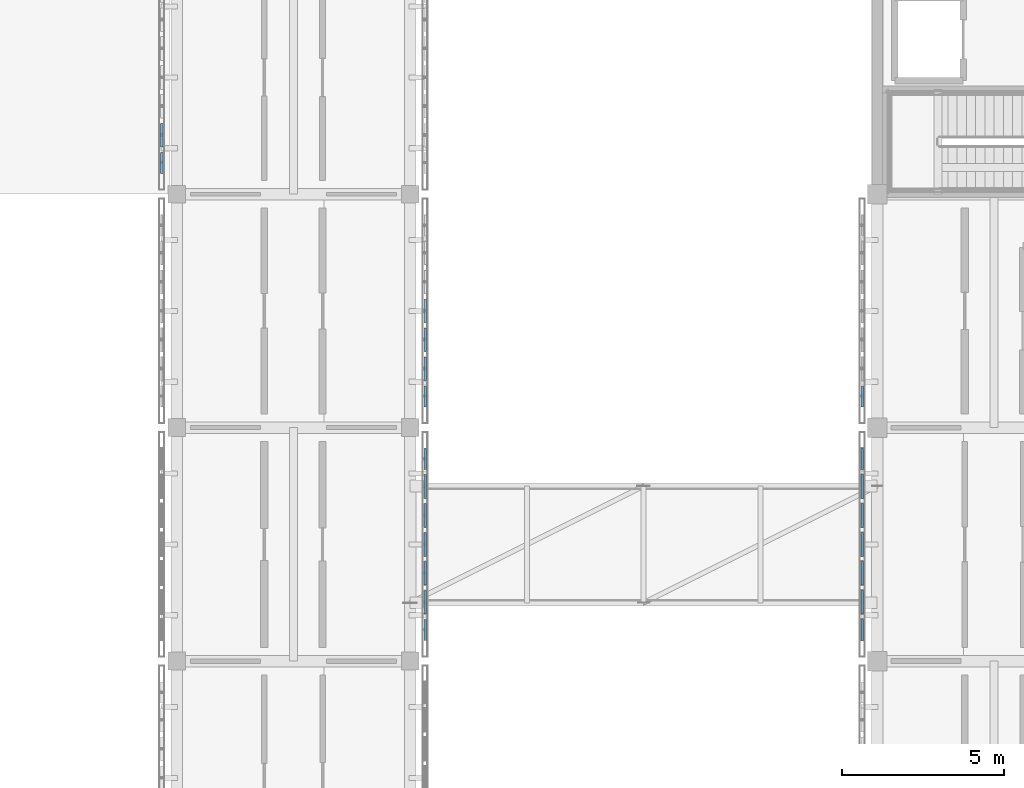
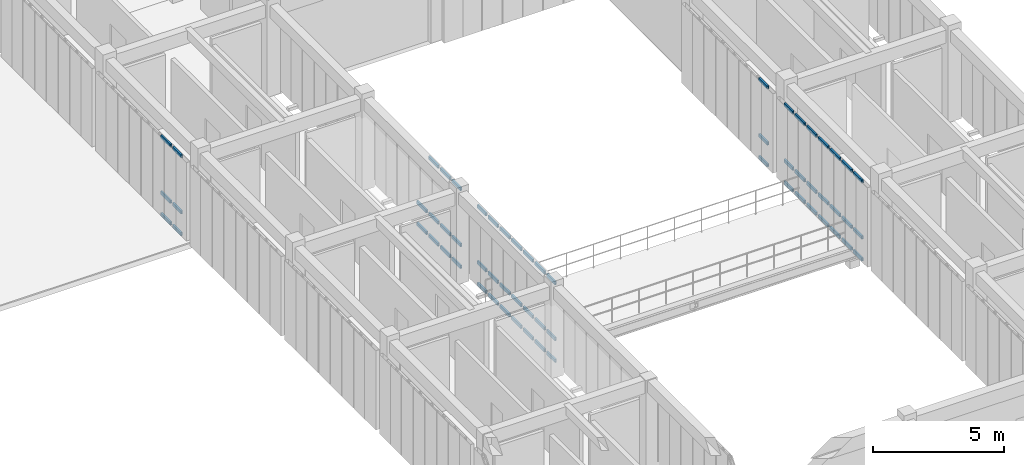
# One storey, part 37 of 91: 62 members, 5 elements without a shape of their own.
"""IFC4 building model written with IfcOpenShell, lengths in metres."""

from ifc_helpers import new_model, si_unit, direction, frame, origin, origin_2d, place, context, subcontext, project, spatial, hollow_rectangle, extrude, material, material_profile, profile_set, type_object, element, aggregate, save


model = new_model("IFC4")

# Units and contexts
model_context = context("Model", 3, precision=1e-05, world=origin(), true_north=direction((0.0, 1.0)))
body_context = subcontext(model_context, "Body", "Model", "MODEL_VIEW")
ifc_project = project(units=[si_unit("LENGTHUNIT", "METRE"), si_unit("AREAUNIT", "SQUARE_METRE"), si_unit("VOLUMEUNIT", "CUBIC_METRE"), si_unit("PLANEANGLEUNIT", "RADIAN"), si_unit("MASSUNIT", "GRAM", prefix="KILO")], contexts=[model_context])

# Site, building, storey
site_placement = place(None, origin())
site = spatial("IfcSite", under=ifc_project, at=site_placement, CompositionType="ELEMENT")
building_placement = place(site_placement, origin())
building = spatial("IfcBuilding", under=site, at=building_placement, Name="Aldebral Square Health Centre", CompositionType="ELEMENT")
storey_placement = place(building_placement, frame((0.0, 0.0, 9.0)))
storey = spatial("IfcBuildingStorey", under=building, at=storey_placement, Name="L02", CompositionType="ELEMENT", Elevation=9.0)

# Curtain wall, members
ifc_material_1 = material(Name="Aluminium and low-E solar glass", Category="aluminium")
curtain_wall_type = type_object("IfcCurtainWallType", Name="CW-FIN-SYS", PredefinedType="USERDEFINED", material=ifc_material_1)
curtain_wall_1_placement = place(storey_placement, origin())
curtain_wall_1 = element("IfcCurtainWall", 1, at=curtain_wall_1_placement, inside=storey, type_object=curtain_wall_type, Name="L02 V5 finned curtain wall L02-V5-19-11-E", ObjectType="SOLAR_CURTAIN_WALL", PredefinedType="USERDEFINED")
ifc_material_2 = material(Name="Anodised aluminium transom", Category="aluminium")
ifc_material_profile = material_profile(ifc_material_2, hollow_rectangle(XDim=0.074951171875, YDim=0.14990234375, WallThickness=0.00390625, at=origin_2d()), Name="CWT 75x150x4")
ifc_profile_set = profile_set([ifc_material_profile], Name="Anodised aluminium transom")
member_type = type_object("IfcMemberType", Name="CWT-STD", PredefinedType="USERDEFINED", material=ifc_profile_set)
member_1_placement = place(storey_placement, frame((144.4599609375, 79.840087890625, 0.03759765625), z_axis=(0.0, 1.0, 0.0), x_axis=(-1.0, 0.0, 0.0)))
member_1 = element("IfcMember", 2, at=member_1_placement, type_object=member_type, Name="CW1 transom 1.1", ObjectType="TRANSOM", PredefinedType="USERDEFINED", context=body_context, shape_type="SweptSolid", body=[
    extrude(hollow_rectangle(XDim=0.074951171875, YDim=0.14990234375, WallThickness=0.00390625, at=origin_2d()), origin(), (0.0, 0.0, 1.0), 0.6513671875),
])
member_2_placement = place(storey_placement, frame((144.4599609375, 79.840087890625, 1.050048828125), z_axis=(0.0, 1.0, 0.0), x_axis=(-1.0, 0.0, 0.0)))
member_2 = element("IfcMember", 3, at=member_2_placement, type_object=member_type, Name="CW1 transom 1.2", ObjectType="TRANSOM", PredefinedType="USERDEFINED", context=body_context, shape_type="SweptSolid", body=[
    extrude(hollow_rectangle(XDim=0.074951171875, YDim=0.14990234375, WallThickness=0.00390625, at=origin_2d()), origin(), (0.0, 0.0, 1.0), 0.6513671875),
])
member_3_placement = place(storey_placement, frame((144.4599609375, 79.840087890625, 3.652587890625), z_axis=(0.0, 1.0, 0.0), x_axis=(-1.0, 0.0, 0.0)))
member_3 = element("IfcMember", 4, at=member_3_placement, type_object=member_type, Name="CW1 transom 1.3", ObjectType="TRANSOM", PredefinedType="USERDEFINED", context=body_context, shape_type="SweptSolid", body=[
    extrude(hollow_rectangle(XDim=0.074951171875, YDim=0.14990234375, WallThickness=0.00390625, at=origin_2d()), origin(), (0.0, 0.0, 1.0), 0.6513671875),
])
member_4_placement = place(storey_placement, frame((144.4599609375, 80.6513671875, 0.03759765625), z_axis=(0.0, 1.0, 0.0), x_axis=(-1.0, 0.0, 0.0)))
member_4 = element("IfcMember", 5, at=member_4_placement, type_object=member_type, Name="CW1 transom 2.1", ObjectType="TRANSOM", PredefinedType="USERDEFINED", context=body_context, shape_type="SweptSolid", body=[
    extrude(hollow_rectangle(XDim=0.074951171875, YDim=0.14990234375, WallThickness=0.00390625, at=origin_2d()), origin(), (0.0, 0.0, 1.0), 0.7314453125),
])
member_5_placement = place(storey_placement, frame((144.4599609375, 80.6513671875, 1.050048828125), z_axis=(0.0, 1.0, 0.0), x_axis=(-1.0, 0.0, 0.0)))
member_5 = element("IfcMember", 6, at=member_5_placement, type_object=member_type, Name="CW1 transom 2.2", ObjectType="TRANSOM", PredefinedType="USERDEFINED", context=body_context, shape_type="SweptSolid", body=[
    extrude(hollow_rectangle(XDim=0.074951171875, YDim=0.14990234375, WallThickness=0.00390625, at=origin_2d()), origin(), (0.0, 0.0, 1.0), 0.7314453125),
])
member_6_placement = place(storey_placement, frame((144.4599609375, 80.6513671875, 3.652587890625), z_axis=(0.0, 1.0, 0.0), x_axis=(-1.0, 0.0, 0.0)))
member_6 = element("IfcMember", 7, at=member_6_placement, type_object=member_type, Name="CW1 transom 2.3", ObjectType="TRANSOM", PredefinedType="USERDEFINED", context=body_context, shape_type="SweptSolid", body=[
    extrude(hollow_rectangle(XDim=0.074951171875, YDim=0.14990234375, WallThickness=0.00390625, at=origin_2d()), origin(), (0.0, 0.0, 1.0), 0.7314453125),
])
member_7_placement = place(storey_placement, frame((144.4599609375, 81.54296875, 0.03759765625), z_axis=(0.0, 1.0, 0.0), x_axis=(-1.0, 0.0, 0.0)))
member_7 = element("IfcMember", 8, at=member_7_placement, type_object=member_type, Name="CW1 transom 3.1", ObjectType="TRANSOM", PredefinedType="USERDEFINED", context=body_context, shape_type="SweptSolid", body=[
    extrude(hollow_rectangle(XDim=0.074951171875, YDim=0.14990234375, WallThickness=0.00390625, at=origin_2d()), origin(), (0.0, 0.0, 1.0), 0.731201171875),
])
member_8_placement = place(storey_placement, frame((144.4599609375, 81.54296875, 1.050048828125), z_axis=(0.0, 1.0, 0.0), x_axis=(-1.0, 0.0, 0.0)))
member_8 = element("IfcMember", 9, at=member_8_placement, type_object=member_type, Name="CW1 transom 3.2", ObjectType="TRANSOM", PredefinedType="USERDEFINED", context=body_context, shape_type="SweptSolid", body=[
    extrude(hollow_rectangle(XDim=0.074951171875, YDim=0.14990234375, WallThickness=0.00390625, at=origin_2d()), origin(), (0.0, 0.0, 1.0), 0.731201171875),
])
member_9_placement = place(storey_placement, frame((144.4599609375, 81.54296875, 3.652587890625), z_axis=(0.0, 1.0, 0.0), x_axis=(-1.0, 0.0, 0.0)))
member_9 = element("IfcMember", 10, at=member_9_placement, type_object=member_type, Name="CW1 transom 3.3", ObjectType="TRANSOM", PredefinedType="USERDEFINED", context=body_context, shape_type="SweptSolid", body=[
    extrude(hollow_rectangle(XDim=0.074951171875, YDim=0.14990234375, WallThickness=0.00390625, at=origin_2d()), origin(), (0.0, 0.0, 1.0), 0.731201171875),
])
member_10_placement = place(storey_placement, frame((144.4599609375, 82.434326171875, 0.03759765625), z_axis=(0.0, 1.0, 0.0), x_axis=(-1.0, 0.0, 0.0)))
member_10 = element("IfcMember", 11, at=member_10_placement, type_object=member_type, Name="CW1 transom 4.1", ObjectType="TRANSOM", PredefinedType="USERDEFINED", context=body_context, shape_type="SweptSolid", body=[
    extrude(hollow_rectangle(XDim=0.074951171875, YDim=0.14990234375, WallThickness=0.00390625, at=origin_2d()), origin(), (0.0, 0.0, 1.0), 0.7314453125),
])
member_11_placement = place(storey_placement, frame((144.4599609375, 82.434326171875, 1.050048828125), z_axis=(0.0, 1.0, 0.0), x_axis=(-1.0, 0.0, 0.0)))
member_11 = element("IfcMember", 12, at=member_11_placement, type_object=member_type, Name="CW1 transom 4.2", ObjectType="TRANSOM", PredefinedType="USERDEFINED", context=body_context, shape_type="SweptSolid", body=[
    extrude(hollow_rectangle(XDim=0.074951171875, YDim=0.14990234375, WallThickness=0.00390625, at=origin_2d()), origin(), (0.0, 0.0, 1.0), 0.7314453125),
])
member_12_placement = place(storey_placement, frame((144.4599609375, 82.434326171875, 3.652587890625), z_axis=(0.0, 1.0, 0.0), x_axis=(-1.0, 0.0, 0.0)))
member_12 = element("IfcMember", 13, at=member_12_placement, type_object=member_type, Name="CW1 transom 4.3", ObjectType="TRANSOM", PredefinedType="USERDEFINED", context=body_context, shape_type="SweptSolid", body=[
    extrude(hollow_rectangle(XDim=0.074951171875, YDim=0.14990234375, WallThickness=0.00390625, at=origin_2d()), origin(), (0.0, 0.0, 1.0), 0.7314453125),
])
member_13_placement = place(storey_placement, frame((144.4599609375, 83.32568359375, 0.03759765625), z_axis=(0.0, 1.0, 0.0), x_axis=(-1.0, 0.0, 0.0)))
member_13 = element("IfcMember", 14, at=member_13_placement, type_object=member_type, Name="CW1 transom 5.1", ObjectType="TRANSOM", PredefinedType="USERDEFINED", context=body_context, shape_type="SweptSolid", body=[
    extrude(hollow_rectangle(XDim=0.074951171875, YDim=0.14990234375, WallThickness=0.00390625, at=origin_2d()), origin(), (0.0, 0.0, 1.0), 0.7314453125),
])
member_14_placement = place(storey_placement, frame((144.4599609375, 83.32568359375, 1.050048828125), z_axis=(0.0, 1.0, 0.0), x_axis=(-1.0, 0.0, 0.0)))
member_14 = element("IfcMember", 15, at=member_14_placement, type_object=member_type, Name="CW1 transom 5.2", ObjectType="TRANSOM", PredefinedType="USERDEFINED", context=body_context, shape_type="SweptSolid", body=[
    extrude(hollow_rectangle(XDim=0.074951171875, YDim=0.14990234375, WallThickness=0.00390625, at=origin_2d()), origin(), (0.0, 0.0, 1.0), 0.7314453125),
])
member_15_placement = place(storey_placement, frame((144.4599609375, 83.32568359375, 3.652587890625), z_axis=(0.0, 1.0, 0.0), x_axis=(-1.0, 0.0, 0.0)))
member_15 = element("IfcMember", 16, at=member_15_placement, type_object=member_type, Name="CW1 transom 5.3", ObjectType="TRANSOM", PredefinedType="USERDEFINED", context=body_context, shape_type="SweptSolid", body=[
    extrude(hollow_rectangle(XDim=0.074951171875, YDim=0.14990234375, WallThickness=0.00390625, at=origin_2d()), origin(), (0.0, 0.0, 1.0), 0.7314453125),
])
member_16_placement = place(storey_placement, frame((144.4599609375, 84.217041015625, 0.03759765625), z_axis=(0.0, 1.0, 0.0), x_axis=(-1.0, 0.0, 0.0)))
member_16 = element("IfcMember", 17, at=member_16_placement, type_object=member_type, Name="CW1 transom 6.1", ObjectType="TRANSOM", PredefinedType="USERDEFINED", context=body_context, shape_type="SweptSolid", body=[
    extrude(hollow_rectangle(XDim=0.074951171875, YDim=0.14990234375, WallThickness=0.00390625, at=origin_2d()), origin(), (0.0, 0.0, 1.0), 0.7314453125),
])
member_17_placement = place(storey_placement, frame((144.4599609375, 84.217041015625, 1.050048828125), z_axis=(0.0, 1.0, 0.0), x_axis=(-1.0, 0.0, 0.0)))
member_17 = element("IfcMember", 18, at=member_17_placement, type_object=member_type, Name="CW1 transom 6.2", ObjectType="TRANSOM", PredefinedType="USERDEFINED", context=body_context, shape_type="SweptSolid", body=[
    extrude(hollow_rectangle(XDim=0.074951171875, YDim=0.14990234375, WallThickness=0.00390625, at=origin_2d()), origin(), (0.0, 0.0, 1.0), 0.7314453125),
])
member_18_placement = place(storey_placement, frame((144.4599609375, 84.217041015625, 3.652587890625), z_axis=(0.0, 1.0, 0.0), x_axis=(-1.0, 0.0, 0.0)))
member_18 = element("IfcMember", 19, at=member_18_placement, type_object=member_type, Name="CW1 transom 6.3", ObjectType="TRANSOM", PredefinedType="USERDEFINED", context=body_context, shape_type="SweptSolid", body=[
    extrude(hollow_rectangle(XDim=0.074951171875, YDim=0.14990234375, WallThickness=0.00390625, at=origin_2d()), origin(), (0.0, 0.0, 1.0), 0.7314453125),
])
member_19_placement = place(storey_placement, frame((144.4599609375, 85.108642578125, 0.03759765625), z_axis=(0.0, 1.0, 0.0), x_axis=(-1.0, 0.0, 0.0)))
member_19 = element("IfcMember", 20, at=member_19_placement, type_object=member_type, Name="CW1 transom 7.1", ObjectType="TRANSOM", PredefinedType="USERDEFINED", context=body_context, shape_type="SweptSolid", body=[
    extrude(hollow_rectangle(XDim=0.074951171875, YDim=0.14990234375, WallThickness=0.00390625, at=origin_2d()), origin(), (0.0, 0.0, 1.0), 0.6513671875),
])
member_20_placement = place(storey_placement, frame((144.4599609375, 85.108642578125, 1.050048828125), z_axis=(0.0, 1.0, 0.0), x_axis=(-1.0, 0.0, 0.0)))
member_20 = element("IfcMember", 21, at=member_20_placement, type_object=member_type, Name="CW1 transom 7.2", ObjectType="TRANSOM", PredefinedType="USERDEFINED", context=body_context, shape_type="SweptSolid", body=[
    extrude(hollow_rectangle(XDim=0.074951171875, YDim=0.14990234375, WallThickness=0.00390625, at=origin_2d()), origin(), (0.0, 0.0, 1.0), 0.6513671875),
])
member_21_placement = place(storey_placement, frame((144.4599609375, 85.108642578125, 3.652587890625), z_axis=(0.0, 1.0, 0.0), x_axis=(-1.0, 0.0, 0.0)))
member_21 = element("IfcMember", 22, at=member_21_placement, type_object=member_type, Name="CW1 transom 7.3", ObjectType="TRANSOM", PredefinedType="USERDEFINED", context=body_context, shape_type="SweptSolid", body=[
    extrude(hollow_rectangle(XDim=0.074951171875, YDim=0.14990234375, WallThickness=0.00390625, at=origin_2d()), origin(), (0.0, 0.0, 1.0), 0.6513671875),
])
aggregate(curtain_wall_1, [member_1, member_2, member_3, member_4, member_5, member_6, member_7, member_8, member_9, member_10, member_11, member_12, member_13, member_14, member_15, member_16, member_17, member_18, member_19, member_20, member_21])

curtain_wall_2_placement = place(storey_placement, origin())
curtain_wall_2 = element("IfcCurtainWall", 23, at=curtain_wall_2_placement, inside=storey, type_object=curtain_wall_type, Name="L02 V5 finned curtain wall L02-V5-19-12-E", ObjectType="SOLAR_CURTAIN_WALL", PredefinedType="USERDEFINED")
member_22_placement = place(storey_placement, frame((144.4599609375, 87.0400390625, 0.03759765625), z_axis=(0.0, 1.0, 0.0), x_axis=(-1.0, 0.0, 0.0)))
member_22 = element("IfcMember", 24, at=member_22_placement, type_object=member_type, Name="CW1 transom 1.1", ObjectType="TRANSOM", PredefinedType="USERDEFINED", context=body_context, shape_type="SweptSolid", body=[
    extrude(hollow_rectangle(XDim=0.074951171875, YDim=0.14990234375, WallThickness=0.00390625, at=origin_2d()), origin(), (0.0, 0.0, 1.0), 0.6513671875),
])
member_23_placement = place(storey_placement, frame((144.4599609375, 87.0400390625, 1.050048828125), z_axis=(0.0, 1.0, 0.0), x_axis=(-1.0, 0.0, 0.0)))
member_23 = element("IfcMember", 25, at=member_23_placement, type_object=member_type, Name="CW1 transom 1.2", ObjectType="TRANSOM", PredefinedType="USERDEFINED", context=body_context, shape_type="SweptSolid", body=[
    extrude(hollow_rectangle(XDim=0.074951171875, YDim=0.14990234375, WallThickness=0.00390625, at=origin_2d()), origin(), (0.0, 0.0, 1.0), 0.6513671875),
])
member_24_placement = place(storey_placement, frame((144.4599609375, 87.0400390625, 3.652587890625), z_axis=(0.0, 1.0, 0.0), x_axis=(-1.0, 0.0, 0.0)))
member_24 = element("IfcMember", 26, at=member_24_placement, type_object=member_type, Name="CW1 transom 1.3", ObjectType="TRANSOM", PredefinedType="USERDEFINED", context=body_context, shape_type="SweptSolid", body=[
    extrude(hollow_rectangle(XDim=0.074951171875, YDim=0.14990234375, WallThickness=0.00390625, at=origin_2d()), origin(), (0.0, 0.0, 1.0), 0.6513671875),
])
member_25_placement = place(storey_placement, frame((144.4599609375, 87.851318359375, 0.03759765625), z_axis=(0.0, 1.0, 0.0), x_axis=(-1.0, 0.0, 0.0)))
member_25 = element("IfcMember", 27, at=member_25_placement, type_object=member_type, Name="CW1 transom 2.1", ObjectType="TRANSOM", PredefinedType="USERDEFINED", context=body_context, shape_type="SweptSolid", body=[
    extrude(hollow_rectangle(XDim=0.074951171875, YDim=0.14990234375, WallThickness=0.00390625, at=origin_2d()), origin(), (0.0, 0.0, 1.0), 0.7314453125),
])
member_26_placement = place(storey_placement, frame((144.4599609375, 87.851318359375, 1.050048828125), z_axis=(0.0, 1.0, 0.0), x_axis=(-1.0, 0.0, 0.0)))
member_26 = element("IfcMember", 28, at=member_26_placement, type_object=member_type, Name="CW1 transom 2.2", ObjectType="TRANSOM", PredefinedType="USERDEFINED", context=body_context, shape_type="SweptSolid", body=[
    extrude(hollow_rectangle(XDim=0.074951171875, YDim=0.14990234375, WallThickness=0.00390625, at=origin_2d()), origin(), (0.0, 0.0, 1.0), 0.7314453125),
])
member_27_placement = place(storey_placement, frame((144.4599609375, 87.851318359375, 3.652587890625), z_axis=(0.0, 1.0, 0.0), x_axis=(-1.0, 0.0, 0.0)))
member_27 = element("IfcMember", 29, at=member_27_placement, type_object=member_type, Name="CW1 transom 2.3", ObjectType="TRANSOM", PredefinedType="USERDEFINED", context=body_context, shape_type="SweptSolid", body=[
    extrude(hollow_rectangle(XDim=0.074951171875, YDim=0.14990234375, WallThickness=0.00390625, at=origin_2d()), origin(), (0.0, 0.0, 1.0), 0.7314453125),
])
member_28_placement = place(storey_placement, frame((144.4599609375, 88.742919921875, 0.03759765625), z_axis=(0.0, 1.0, 0.0), x_axis=(-1.0, 0.0, 0.0)))
member_28 = element("IfcMember", 30, at=member_28_placement, type_object=member_type, Name="CW1 transom 3.1", ObjectType="TRANSOM", PredefinedType="USERDEFINED", context=body_context, shape_type="SweptSolid", body=[
    extrude(hollow_rectangle(XDim=0.074951171875, YDim=0.14990234375, WallThickness=0.00390625, at=origin_2d()), origin(), (0.0, 0.0, 1.0), 0.7314453125),
])
member_29_placement = place(storey_placement, frame((144.4599609375, 88.742919921875, 1.050048828125), z_axis=(0.0, 1.0, 0.0), x_axis=(-1.0, 0.0, 0.0)))
member_29 = element("IfcMember", 31, at=member_29_placement, type_object=member_type, Name="CW1 transom 3.2", ObjectType="TRANSOM", PredefinedType="USERDEFINED", context=body_context, shape_type="SweptSolid", body=[
    extrude(hollow_rectangle(XDim=0.074951171875, YDim=0.14990234375, WallThickness=0.00390625, at=origin_2d()), origin(), (0.0, 0.0, 1.0), 0.7314453125),
])
member_30_placement = place(storey_placement, frame((144.4599609375, 88.742919921875, 3.652587890625), z_axis=(0.0, 1.0, 0.0), x_axis=(-1.0, 0.0, 0.0)))
member_30 = element("IfcMember", 32, at=member_30_placement, type_object=member_type, Name="CW1 transom 3.3", ObjectType="TRANSOM", PredefinedType="USERDEFINED", context=body_context, shape_type="SweptSolid", body=[
    extrude(hollow_rectangle(XDim=0.074951171875, YDim=0.14990234375, WallThickness=0.00390625, at=origin_2d()), origin(), (0.0, 0.0, 1.0), 0.7314453125),
])
member_31_placement = place(storey_placement, frame((144.4599609375, 89.63427734375, 0.03759765625), z_axis=(0.0, 1.0, 0.0), x_axis=(-1.0, 0.0, 0.0)))
member_31 = element("IfcMember", 33, at=member_31_placement, type_object=member_type, Name="CW1 transom 4.1", ObjectType="TRANSOM", PredefinedType="USERDEFINED", context=body_context, shape_type="SweptSolid", body=[
    extrude(hollow_rectangle(XDim=0.074951171875, YDim=0.14990234375, WallThickness=0.00390625, at=origin_2d()), origin(), (0.0, 0.0, 1.0), 0.7314453125),
])
member_32_placement = place(storey_placement, frame((144.4599609375, 89.63427734375, 1.050048828125), z_axis=(0.0, 1.0, 0.0), x_axis=(-1.0, 0.0, 0.0)))
member_32 = element("IfcMember", 34, at=member_32_placement, type_object=member_type, Name="CW1 transom 4.2", ObjectType="TRANSOM", PredefinedType="USERDEFINED", context=body_context, shape_type="SweptSolid", body=[
    extrude(hollow_rectangle(XDim=0.074951171875, YDim=0.14990234375, WallThickness=0.00390625, at=origin_2d()), origin(), (0.0, 0.0, 1.0), 0.7314453125),
])
aggregate(curtain_wall_2, [member_22, member_23, member_24, member_25, member_26, member_27, member_28, member_29, member_30, member_31, member_32])

curtain_wall_3_placement = place(storey_placement, origin())
curtain_wall_3 = element("IfcCurtainWall", 35, at=curtain_wall_3_placement, inside=storey, type_object=curtain_wall_type, Name="L02 V5 finned curtain wall L02-V5-19-13-W", ObjectType="SOLAR_CURTAIN_WALL", PredefinedType="USERDEFINED")
member_33_placement = place(storey_placement, frame((136.340087890625, 95.782958984375, 0.03759765625), z_axis=(0.0, -1.0, 0.0), x_axis=(1.0, 0.0, 0.0)))
member_33 = element("IfcMember", 36, at=member_33_placement, type_object=member_type, Name="CW1 transom 6.1", ObjectType="TRANSOM", PredefinedType="USERDEFINED", context=body_context, shape_type="SweptSolid", body=[
    extrude(hollow_rectangle(XDim=0.074951171875, YDim=0.14990234375, WallThickness=0.00390625, at=origin_2d()), origin(), (0.0, 0.0, 1.0), 0.7314453125),
])
member_34_placement = place(storey_placement, frame((136.340087890625, 95.782958984375, 1.050048828125), z_axis=(0.0, -1.0, 0.0), x_axis=(1.0, 0.0, 0.0)))
member_34 = element("IfcMember", 37, at=member_34_placement, type_object=member_type, Name="CW1 transom 6.2", ObjectType="TRANSOM", PredefinedType="USERDEFINED", context=body_context, shape_type="SweptSolid", body=[
    extrude(hollow_rectangle(XDim=0.074951171875, YDim=0.14990234375, WallThickness=0.00390625, at=origin_2d()), origin(), (0.0, 0.0, 1.0), 0.7314453125),
])
member_35_placement = place(storey_placement, frame((136.340087890625, 95.782958984375, 3.652587890625), z_axis=(0.0, -1.0, 0.0), x_axis=(1.0, 0.0, 0.0)))
member_35 = element("IfcMember", 38, at=member_35_placement, type_object=member_type, Name="CW1 transom 6.3", ObjectType="TRANSOM", PredefinedType="USERDEFINED", context=body_context, shape_type="SweptSolid", body=[
    extrude(hollow_rectangle(XDim=0.074951171875, YDim=0.14990234375, WallThickness=0.00390625, at=origin_2d()), origin(), (0.0, 0.0, 1.0), 0.7314453125),
])
member_36_placement = place(storey_placement, frame((136.340087890625, 94.891357421875, 0.03759765625), z_axis=(0.0, -1.0, 0.0), x_axis=(1.0, 0.0, 0.0)))
member_36 = element("IfcMember", 39, at=member_36_placement, type_object=member_type, Name="CW1 transom 7.1", ObjectType="TRANSOM", PredefinedType="USERDEFINED", context=body_context, shape_type="SweptSolid", body=[
    extrude(hollow_rectangle(XDim=0.074951171875, YDim=0.14990234375, WallThickness=0.00390625, at=origin_2d()), origin(), (0.0, 0.0, 1.0), 0.6513671875),
])
member_37_placement = place(storey_placement, frame((136.340087890625, 94.891357421875, 1.050048828125), z_axis=(0.0, -1.0, 0.0), x_axis=(1.0, 0.0, 0.0)))
member_37 = element("IfcMember", 40, at=member_37_placement, type_object=member_type, Name="CW1 transom 7.2", ObjectType="TRANSOM", PredefinedType="USERDEFINED", context=body_context, shape_type="SweptSolid", body=[
    extrude(hollow_rectangle(XDim=0.074951171875, YDim=0.14990234375, WallThickness=0.00390625, at=origin_2d()), origin(), (0.0, 0.0, 1.0), 0.6513671875),
])
member_38_placement = place(storey_placement, frame((136.340087890625, 94.891357421875, 3.652587890625), z_axis=(0.0, -1.0, 0.0), x_axis=(1.0, 0.0, 0.0)))
member_38 = element("IfcMember", 41, at=member_38_placement, type_object=member_type, Name="CW1 transom 7.3", ObjectType="TRANSOM", PredefinedType="USERDEFINED", context=body_context, shape_type="SweptSolid", body=[
    extrude(hollow_rectangle(XDim=0.074951171875, YDim=0.14990234375, WallThickness=0.00390625, at=origin_2d()), origin(), (0.0, 0.0, 1.0), 0.6513671875),
])
aggregate(curtain_wall_3, [member_33, member_34, member_35, member_36, member_37, member_38])

curtain_wall_4_placement = place(storey_placement, origin())
curtain_wall_4 = element("IfcCurtainWall", 42, at=curtain_wall_4_placement, inside=storey, type_object=curtain_wall_type, Name="L02 V5 finned curtain wall L02-V5-22-11-W", ObjectType="SOLAR_CURTAIN_WALL", PredefinedType="USERDEFINED")
member_39_placement = place(storey_placement, frame((157.93994140625, 85.760009765625, 0.03759765625), z_axis=(0.0, -1.0, 0.0), x_axis=(1.0, 0.0, 0.0)))
member_39 = element("IfcMember", 43, at=member_39_placement, type_object=member_type, Name="CW1 transom 1.1", ObjectType="TRANSOM", PredefinedType="USERDEFINED", context=body_context, shape_type="SweptSolid", body=[
    extrude(hollow_rectangle(XDim=0.074951171875, YDim=0.14990234375, WallThickness=0.00390625, at=origin_2d()), origin(), (0.0, 0.0, 1.0), 0.6513671875),
])
member_40_placement = place(storey_placement, frame((157.93994140625, 85.760009765625, 1.050048828125), z_axis=(0.0, -1.0, 0.0), x_axis=(1.0, 0.0, 0.0)))
member_40 = element("IfcMember", 44, at=member_40_placement, type_object=member_type, Name="CW1 transom 1.2", ObjectType="TRANSOM", PredefinedType="USERDEFINED", context=body_context, shape_type="SweptSolid", body=[
    extrude(hollow_rectangle(XDim=0.074951171875, YDim=0.14990234375, WallThickness=0.00390625, at=origin_2d()), origin(), (0.0, 0.0, 1.0), 0.6513671875),
])
member_41_placement = place(storey_placement, frame((157.93994140625, 85.760009765625, 3.652587890625), z_axis=(0.0, -1.0, 0.0), x_axis=(1.0, 0.0, 0.0)))
member_41 = element("IfcMember", 45, at=member_41_placement, type_object=member_type, Name="CW1 transom 1.3", ObjectType="TRANSOM", PredefinedType="USERDEFINED", context=body_context, shape_type="SweptSolid", body=[
    extrude(hollow_rectangle(XDim=0.074951171875, YDim=0.14990234375, WallThickness=0.00390625, at=origin_2d()), origin(), (0.0, 0.0, 1.0), 0.6513671875),
])
member_42_placement = place(storey_placement, frame((157.93994140625, 84.948486328125, 0.03759765625), z_axis=(0.0, -1.0, 0.0), x_axis=(1.0, 0.0, 0.0)))
member_42 = element("IfcMember", 46, at=member_42_placement, type_object=member_type, Name="CW1 transom 2.1", ObjectType="TRANSOM", PredefinedType="USERDEFINED", context=body_context, shape_type="SweptSolid", body=[
    extrude(hollow_rectangle(XDim=0.074951171875, YDim=0.14990234375, WallThickness=0.00390625, at=origin_2d()), origin(), (0.0, 0.0, 1.0), 0.7314453125),
])
member_43_placement = place(storey_placement, frame((157.93994140625, 84.948486328125, 1.050048828125), z_axis=(0.0, -1.0, 0.0), x_axis=(1.0, 0.0, 0.0)))
member_43 = element("IfcMember", 47, at=member_43_placement, type_object=member_type, Name="CW1 transom 2.2", ObjectType="TRANSOM", PredefinedType="USERDEFINED", context=body_context, shape_type="SweptSolid", body=[
    extrude(hollow_rectangle(XDim=0.074951171875, YDim=0.14990234375, WallThickness=0.00390625, at=origin_2d()), origin(), (0.0, 0.0, 1.0), 0.7314453125),
])
member_44_placement = place(storey_placement, frame((157.93994140625, 84.948486328125, 3.652587890625), z_axis=(0.0, -1.0, 0.0), x_axis=(1.0, 0.0, 0.0)))
member_44 = element("IfcMember", 48, at=member_44_placement, type_object=member_type, Name="CW1 transom 2.3", ObjectType="TRANSOM", PredefinedType="USERDEFINED", context=body_context, shape_type="SweptSolid", body=[
    extrude(hollow_rectangle(XDim=0.074951171875, YDim=0.14990234375, WallThickness=0.00390625, at=origin_2d()), origin(), (0.0, 0.0, 1.0), 0.7314453125),
])
member_45_placement = place(storey_placement, frame((157.93994140625, 84.05712890625, 0.03759765625), z_axis=(0.0, -1.0, 0.0), x_axis=(1.0, 0.0, 0.0)))
member_45 = element("IfcMember", 49, at=member_45_placement, type_object=member_type, Name="CW1 transom 3.1", ObjectType="TRANSOM", PredefinedType="USERDEFINED", context=body_context, shape_type="SweptSolid", body=[
    extrude(hollow_rectangle(XDim=0.074951171875, YDim=0.14990234375, WallThickness=0.00390625, at=origin_2d()), origin(), (0.0, 0.0, 1.0), 0.7314453125),
])
member_46_placement = place(storey_placement, frame((157.93994140625, 84.05712890625, 1.050048828125), z_axis=(0.0, -1.0, 0.0), x_axis=(1.0, 0.0, 0.0)))
member_46 = element("IfcMember", 50, at=member_46_placement, type_object=member_type, Name="CW1 transom 3.2", ObjectType="TRANSOM", PredefinedType="USERDEFINED", context=body_context, shape_type="SweptSolid", body=[
    extrude(hollow_rectangle(XDim=0.074951171875, YDim=0.14990234375, WallThickness=0.00390625, at=origin_2d()), origin(), (0.0, 0.0, 1.0), 0.7314453125),
])
member_47_placement = place(storey_placement, frame((157.93994140625, 84.05712890625, 3.652587890625), z_axis=(0.0, -1.0, 0.0), x_axis=(1.0, 0.0, 0.0)))
member_47 = element("IfcMember", 51, at=member_47_placement, type_object=member_type, Name="CW1 transom 3.3", ObjectType="TRANSOM", PredefinedType="USERDEFINED", context=body_context, shape_type="SweptSolid", body=[
    extrude(hollow_rectangle(XDim=0.074951171875, YDim=0.14990234375, WallThickness=0.00390625, at=origin_2d()), origin(), (0.0, 0.0, 1.0), 0.7314453125),
])
member_48_placement = place(storey_placement, frame((157.93994140625, 83.165771484375, 0.03759765625), z_axis=(0.0, -1.0, 0.0), x_axis=(1.0, 0.0, 0.0)))
member_48 = element("IfcMember", 52, at=member_48_placement, type_object=member_type, Name="CW1 transom 4.1", ObjectType="TRANSOM", PredefinedType="USERDEFINED", context=body_context, shape_type="SweptSolid", body=[
    extrude(hollow_rectangle(XDim=0.074951171875, YDim=0.14990234375, WallThickness=0.00390625, at=origin_2d()), origin(), (0.0, 0.0, 1.0), 0.7314453125),
])
member_49_placement = place(storey_placement, frame((157.93994140625, 83.165771484375, 1.050048828125), z_axis=(0.0, -1.0, 0.0), x_axis=(1.0, 0.0, 0.0)))
member_49 = element("IfcMember", 53, at=member_49_placement, type_object=member_type, Name="CW1 transom 4.2", ObjectType="TRANSOM", PredefinedType="USERDEFINED", context=body_context, shape_type="SweptSolid", body=[
    extrude(hollow_rectangle(XDim=0.074951171875, YDim=0.14990234375, WallThickness=0.00390625, at=origin_2d()), origin(), (0.0, 0.0, 1.0), 0.7314453125),
])
member_50_placement = place(storey_placement, frame((157.93994140625, 83.165771484375, 3.652587890625), z_axis=(0.0, -1.0, 0.0), x_axis=(1.0, 0.0, 0.0)))
member_50 = element("IfcMember", 54, at=member_50_placement, type_object=member_type, Name="CW1 transom 4.3", ObjectType="TRANSOM", PredefinedType="USERDEFINED", context=body_context, shape_type="SweptSolid", body=[
    extrude(hollow_rectangle(XDim=0.074951171875, YDim=0.14990234375, WallThickness=0.00390625, at=origin_2d()), origin(), (0.0, 0.0, 1.0), 0.7314453125),
])
member_51_placement = place(storey_placement, frame((157.93994140625, 82.274169921875, 0.03759765625), z_axis=(0.0, -1.0, 0.0), x_axis=(1.0, 0.0, 0.0)))
member_51 = element("IfcMember", 55, at=member_51_placement, type_object=member_type, Name="CW1 transom 5.1", ObjectType="TRANSOM", PredefinedType="USERDEFINED", context=body_context, shape_type="SweptSolid", body=[
    extrude(hollow_rectangle(XDim=0.074951171875, YDim=0.14990234375, WallThickness=0.00390625, at=origin_2d()), origin(), (0.0, 0.0, 1.0), 0.731201171875),
])
member_52_placement = place(storey_placement, frame((157.93994140625, 82.274169921875, 1.050048828125), z_axis=(0.0, -1.0, 0.0), x_axis=(1.0, 0.0, 0.0)))
member_52 = element("IfcMember", 56, at=member_52_placement, type_object=member_type, Name="CW1 transom 5.2", ObjectType="TRANSOM", PredefinedType="USERDEFINED", context=body_context, shape_type="SweptSolid", body=[
    extrude(hollow_rectangle(XDim=0.074951171875, YDim=0.14990234375, WallThickness=0.00390625, at=origin_2d()), origin(), (0.0, 0.0, 1.0), 0.731201171875),
])
member_53_placement = place(storey_placement, frame((157.93994140625, 82.274169921875, 3.652587890625), z_axis=(0.0, -1.0, 0.0), x_axis=(1.0, 0.0, 0.0)))
member_53 = element("IfcMember", 57, at=member_53_placement, type_object=member_type, Name="CW1 transom 5.3", ObjectType="TRANSOM", PredefinedType="USERDEFINED", context=body_context, shape_type="SweptSolid", body=[
    extrude(hollow_rectangle(XDim=0.074951171875, YDim=0.14990234375, WallThickness=0.00390625, at=origin_2d()), origin(), (0.0, 0.0, 1.0), 0.731201171875),
])
member_54_placement = place(storey_placement, frame((157.93994140625, 81.3828125, 0.03759765625), z_axis=(0.0, -1.0, 0.0), x_axis=(1.0, 0.0, 0.0)))
member_54 = element("IfcMember", 58, at=member_54_placement, type_object=member_type, Name="CW1 transom 6.1", ObjectType="TRANSOM", PredefinedType="USERDEFINED", context=body_context, shape_type="SweptSolid", body=[
    extrude(hollow_rectangle(XDim=0.074951171875, YDim=0.14990234375, WallThickness=0.00390625, at=origin_2d()), origin(), (0.0, 0.0, 1.0), 0.7314453125),
])
member_55_placement = place(storey_placement, frame((157.93994140625, 81.3828125, 1.050048828125), z_axis=(0.0, -1.0, 0.0), x_axis=(1.0, 0.0, 0.0)))
member_55 = element("IfcMember", 59, at=member_55_placement, type_object=member_type, Name="CW1 transom 6.2", ObjectType="TRANSOM", PredefinedType="USERDEFINED", context=body_context, shape_type="SweptSolid", body=[
    extrude(hollow_rectangle(XDim=0.074951171875, YDim=0.14990234375, WallThickness=0.00390625, at=origin_2d()), origin(), (0.0, 0.0, 1.0), 0.7314453125),
])
member_56_placement = place(storey_placement, frame((157.93994140625, 81.3828125, 3.652587890625), z_axis=(0.0, -1.0, 0.0), x_axis=(1.0, 0.0, 0.0)))
member_56 = element("IfcMember", 60, at=member_56_placement, type_object=member_type, Name="CW1 transom 6.3", ObjectType="TRANSOM", PredefinedType="USERDEFINED", context=body_context, shape_type="SweptSolid", body=[
    extrude(hollow_rectangle(XDim=0.074951171875, YDim=0.14990234375, WallThickness=0.00390625, at=origin_2d()), origin(), (0.0, 0.0, 1.0), 0.7314453125),
])
member_57_placement = place(storey_placement, frame((157.93994140625, 80.491455078125, 0.03759765625), z_axis=(0.0, -1.0, 0.0), x_axis=(1.0, 0.0, 0.0)))
member_57 = element("IfcMember", 61, at=member_57_placement, type_object=member_type, Name="CW1 transom 7.1", ObjectType="TRANSOM", PredefinedType="USERDEFINED", context=body_context, shape_type="SweptSolid", body=[
    extrude(hollow_rectangle(XDim=0.074951171875, YDim=0.14990234375, WallThickness=0.00390625, at=origin_2d()), origin(), (0.0, 0.0, 1.0), 0.6513671875),
])
member_58_placement = place(storey_placement, frame((157.93994140625, 80.491455078125, 1.050048828125), z_axis=(0.0, -1.0, 0.0), x_axis=(1.0, 0.0, 0.0)))
member_58 = element("IfcMember", 62, at=member_58_placement, type_object=member_type, Name="CW1 transom 7.2", ObjectType="TRANSOM", PredefinedType="USERDEFINED", context=body_context, shape_type="SweptSolid", body=[
    extrude(hollow_rectangle(XDim=0.074951171875, YDim=0.14990234375, WallThickness=0.00390625, at=origin_2d()), origin(), (0.0, 0.0, 1.0), 0.6513671875),
])
member_59_placement = place(storey_placement, frame((157.93994140625, 80.491455078125, 3.652587890625), z_axis=(0.0, -1.0, 0.0), x_axis=(1.0, 0.0, 0.0)))
member_59 = element("IfcMember", 63, at=member_59_placement, type_object=member_type, Name="CW1 transom 7.3", ObjectType="TRANSOM", PredefinedType="USERDEFINED", context=body_context, shape_type="SweptSolid", body=[
    extrude(hollow_rectangle(XDim=0.074951171875, YDim=0.14990234375, WallThickness=0.00390625, at=origin_2d()), origin(), (0.0, 0.0, 1.0), 0.6513671875),
])
aggregate(curtain_wall_4, [member_39, member_40, member_41, member_42, member_43, member_44, member_45, member_46, member_47, member_48, member_49, member_50, member_51, member_52, member_53, member_54, member_55, member_56, member_57, member_58, member_59])

curtain_wall_5_placement = place(storey_placement, origin())
curtain_wall_5 = element("IfcCurtainWall", 64, at=curtain_wall_5_placement, inside=storey, type_object=curtain_wall_type, Name="L02 V5 finned curtain wall L02-V5-22-12-W", ObjectType="SOLAR_CURTAIN_WALL", PredefinedType="USERDEFINED")
member_60_placement = place(storey_placement, frame((157.93994140625, 87.69140625, 0.03759765625), z_axis=(0.0, -1.0, 0.0), x_axis=(1.0, 0.0, 0.0)))
member_60 = element("IfcMember", 65, at=member_60_placement, type_object=member_type, Name="CW1 transom 7.1", ObjectType="TRANSOM", PredefinedType="USERDEFINED", context=body_context, shape_type="SweptSolid", body=[
    extrude(hollow_rectangle(XDim=0.074951171875, YDim=0.14990234375, WallThickness=0.00390625, at=origin_2d()), origin(), (0.0, 0.0, 1.0), 0.6513671875),
])
member_61_placement = place(storey_placement, frame((157.93994140625, 87.69140625, 1.050048828125), z_axis=(0.0, -1.0, 0.0), x_axis=(1.0, 0.0, 0.0)))
member_61 = element("IfcMember", 66, at=member_61_placement, type_object=member_type, Name="CW1 transom 7.2", ObjectType="TRANSOM", PredefinedType="USERDEFINED", context=body_context, shape_type="SweptSolid", body=[
    extrude(hollow_rectangle(XDim=0.074951171875, YDim=0.14990234375, WallThickness=0.00390625, at=origin_2d()), origin(), (0.0, 0.0, 1.0), 0.6513671875),
])
member_62_placement = place(storey_placement, frame((157.93994140625, 87.69140625, 3.652587890625), z_axis=(0.0, -1.0, 0.0), x_axis=(1.0, 0.0, 0.0)))
member_62 = element("IfcMember", 67, at=member_62_placement, type_object=member_type, Name="CW1 transom 7.3", ObjectType="TRANSOM", PredefinedType="USERDEFINED", context=body_context, shape_type="SweptSolid", body=[
    extrude(hollow_rectangle(XDim=0.074951171875, YDim=0.14990234375, WallThickness=0.00390625, at=origin_2d()), origin(), (0.0, 0.0, 1.0), 0.6513671875),
])
aggregate(curtain_wall_5, [member_60, member_61, member_62])

save(model, "model.ifc")
